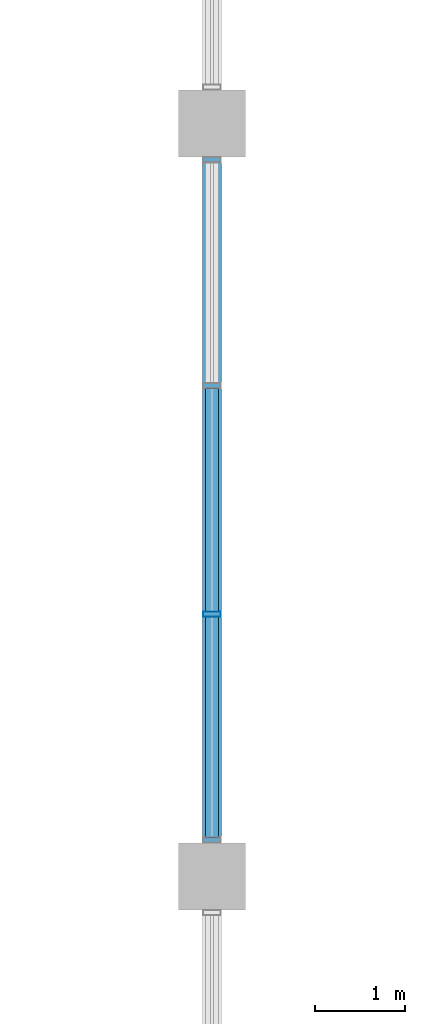
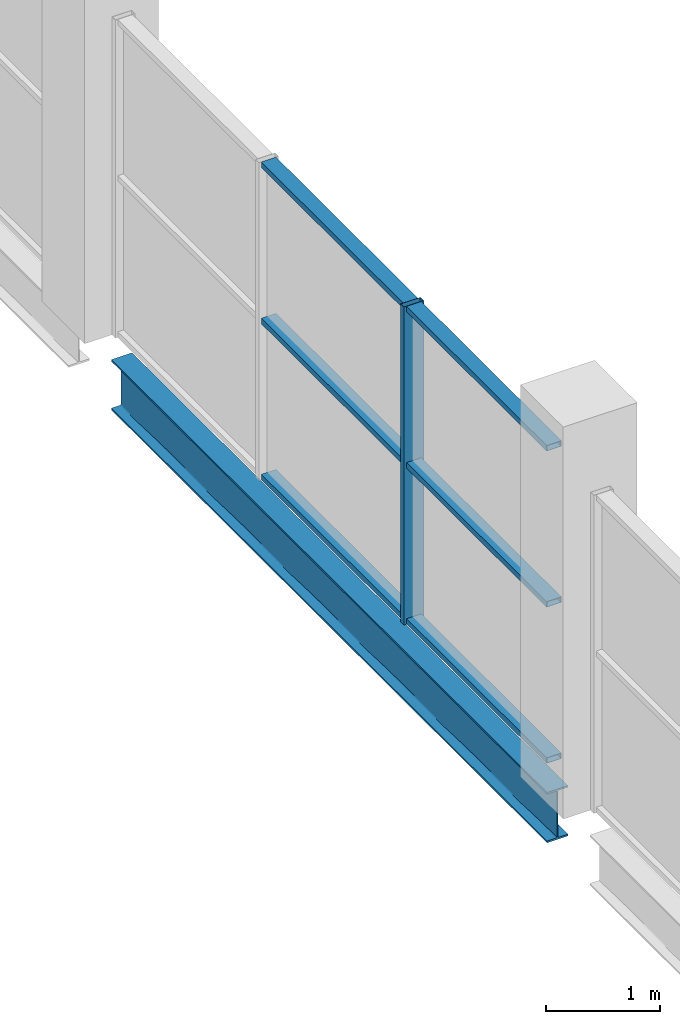
# One storey, part 31 of 93: 7 members, 1 beam, 1 element without a shape of its own.
"""IFC4 building model written with IfcOpenShell, lengths in metres."""

import ifcopenshell
import ifcopenshell.guid

model = None  # the IFC model being written
_history = None  # IfcOwnerHistory: only IFC2X3 demands one
_inside = {}  # id of a spatial element -> (the spatial element, [elements in it])
_under = {}  # id of a project, library or spatial element -> (it, [spatial elements below it])
_declared = {}  # id of a project -> (the project, [libraries it declares])
_typed = {}  # id of a type object -> (the type object, [elements of that type])
_made_of = {}  # id of a material, layer set ... -> (it, [elements and type objects made of it])


def new_model(schema):
    """Start an empty IFC model of exactly this schema.

    Asked for "IFC4X3", IfcOpenShell would pick the latest addendum, in which some entities
    have other attributes; the version numbers below select the first issue.
    IFC2X3 requires an IfcOwnerHistory on every rooted entity: one is made here for all.
    """
    global model, _history
    if schema == "IFC4X3":
        model = ifcopenshell.file(schema_version=(4, 3, 0, 0))
    else:
        model = ifcopenshell.file(schema=schema)
    _inside.clear()
    _under.clear()
    _declared.clear()
    _typed.clear()
    _made_of.clear()
    _history = None
    if model.schema == "IFC2X3":
        org = make("IfcOrganization", Name="unknown")
        user = make(
            "IfcPersonAndOrganization",
            ThePerson=make("IfcPerson", FamilyName="unknown"),
            TheOrganization=org,
        )
        app = make(
            "IfcApplication",
            ApplicationDeveloper=org,
            Version="unknown",
            ApplicationFullName="unknown",
            ApplicationIdentifier="unknown",
        )
        _history = make(
            "IfcOwnerHistory",
            OwningUser=user,
            OwningApplication=app,
            ChangeAction="ADDED",
            CreationDate=0,
        )
    return model


def make(cls, **values):
    """One entity of the class cls with the attributes given. An attribute that is None is left unset."""
    return model.create_entity(
        cls, **{name: value for name, value in values.items() if value is not None}
    )


def rooted(cls, **values):
    """An entity with a GlobalId (a new one), such as an element, a storey or a relation."""
    return make(cls, GlobalId=ifcopenshell.guid.new(), OwnerHistory=_history, **values)


def si_unit(unit_type, name, prefix=None):
    """IfcSIUnit, for example si_unit("LENGTHUNIT", "METRE", prefix="MILLI")."""
    return make("IfcSIUnit", UnitType=unit_type, Prefix=prefix, Name=name)


def assignment(units):
    """IfcUnitAssignment: the units of a project."""
    return None if units is None else make("IfcUnitAssignment", Units=units)


def point(xyz):
    """IfcCartesianPoint."""
    return None if xyz is None else make("IfcCartesianPoint", Coordinates=xyz)


def direction(xyz):
    """IfcDirection."""
    return None if xyz is None else make("IfcDirection", DirectionRatios=xyz)


def frame(location, z_axis=None, x_axis=None):
    """IfcAxis2Placement3D, a coordinate frame: its origin and axes. An axis left out is left unset."""
    return make(
        "IfcAxis2Placement3D",
        Location=point(location),
        Axis=direction(z_axis),
        RefDirection=direction(x_axis),
    )


def frame_2d(location, x_axis=None):
    """IfcAxis2Placement2D, a coordinate frame in the plane: its origin and x axis."""
    return make(
        "IfcAxis2Placement2D", Location=point(location), RefDirection=direction(x_axis)
    )


def origin():
    """The frame at (0, 0, 0) with its axes left unset."""
    return frame((0.0, 0.0, 0.0))


def origin_2d():
    """The frame at (0, 0) in the plane with its x axis left unset."""
    return frame_2d((0.0, 0.0))


def place(relative_to, where):
    """IfcLocalPlacement: puts the frame where relative to a parent placement (None: the world)."""
    return make(
        "IfcLocalPlacement", PlacementRelTo=relative_to, RelativePlacement=where
    )


def context(
    kind, dimensions, precision=None, world=None, true_north=None, identifier=None
):
    """IfcGeometricRepresentationContext, for example the 3D "Model" context."""
    return make(
        "IfcGeometricRepresentationContext",
        ContextIdentifier=identifier,
        ContextType=kind,
        CoordinateSpaceDimension=dimensions,
        Precision=precision,
        WorldCoordinateSystem=world,
        TrueNorth=true_north,
    )


def subcontext(parent, identifier, kind, view, scale=None):
    """IfcGeometricRepresentationSubContext, for example "Body" below "Model"."""
    return make(
        "IfcGeometricRepresentationSubContext",
        ContextIdentifier=identifier,
        ContextType=kind,
        ParentContext=parent,
        TargetScale=scale,
        TargetView=view,
    )


def project(units=None, contexts=None):
    """IfcProject with its units and contexts."""
    return rooted(
        "IfcProject",
        Name="project",
        RepresentationContexts=contexts,
        UnitsInContext=assignment(units),
    )


def spatial(cls, under=None, at=None, **own):
    """A site, building, storey or space (cls), placed at a placement, below another one or the project."""
    s = rooted(cls, ObjectPlacement=at, **own)
    if under is not None:
        _under.setdefault(under.id(), (under, []))[1].append(s)
    return s


def profile(cls, at=None, kind="AREA", **sizes):
    """A parametric profile (cls). Its sizes go by their IFC names, for example OverallWidth=200.0."""
    return make(cls, ProfileType=kind, Position=at, **sizes)


def hollow_rectangle(**sizes):
    """IfcRectangleHollowProfileDef."""
    return profile("IfcRectangleHollowProfileDef", **sizes)


def i_section(**sizes):
    """IfcIShapeProfileDef."""
    return profile("IfcIShapeProfileDef", **sizes)


def extrude(swept, where, along, depth):
    """IfcExtrudedAreaSolid: the profile swept, set in the frame where, extruded along a direction by depth."""
    return make(
        "IfcExtrudedAreaSolid",
        SweptArea=swept,
        Position=where,
        ExtrudedDirection=direction(along),
        Depth=depth,
    )


def shape(context_of_items, identifier, shape_type, items):
    """IfcShapeRepresentation: the items that make up one representation, for example the "Body"."""
    return make(
        "IfcShapeRepresentation",
        ContextOfItems=context_of_items,
        RepresentationIdentifier=identifier,
        RepresentationType=shape_type,
        Items=items,
    )


def material(Name=None, Category=None):
    """IfcMaterial."""
    return make("IfcMaterial", Name=Name, Category=Category)


def material_profile(
    of_material, cross_section, Name=None, Category=None, Priority=None
):
    """IfcMaterialProfile: a cross section and its material."""
    return make(
        "IfcMaterialProfile",
        Name=Name,
        Material=of_material,
        Profile=cross_section,
        Priority=Priority,
        Category=Category,
    )


def profile_set(profiles, Name=None, composite=None):
    """IfcMaterialProfileSet."""
    return make(
        "IfcMaterialProfileSet",
        Name=Name,
        MaterialProfiles=profiles,
        CompositeProfile=composite,
    )


def made_of(thing, what):
    """Note that an element or type object is made of a material, layer set ...; save() writes the relation."""
    if what is not None:
        _made_of.setdefault(what.id(), (what, []))[1].append(thing)
    return thing


def type_object(cls, material=None, **own):
    """A type object (cls), such as IfcWallType, which elements share."""
    return made_of(rooted(cls, **own), material)


def element(
    cls,
    number,
    at=None,
    inside=None,
    cuts=None,
    type_object=None,
    material=None,
    context=None,
    identifier="Body",
    shape_type=None,
    held_by="IfcProductDefinitionShape",
    body=None,
    shapes=None,
    **own,
):
    """One element of the class cls, such as IfcWall. Its Tag is "e" and its number.

    at: its placement. inside: the storey or other place that contains it. cuts: it is an
    opening in that element (IfcRelVoidsElement). A single representation is given by context,
    identifier, shape_type and body (its items); several are given by shapes. held_by: the class
    of the entity that holds the representations. save() writes the other relations.
    """
    e = rooted(cls, Tag="e%d" % number, ObjectPlacement=at, **own)
    if body is not None:
        shapes = [shape(context, identifier, shape_type, body)]
    if shapes is not None:
        e.Representation = make(held_by, Representations=shapes)
    if inside is not None:
        _inside.setdefault(inside.id(), (inside, []))[1].append(e)
    if cuts is not None:
        rooted(
            "IfcRelVoidsElement", RelatingBuildingElement=cuts, RelatedOpeningElement=e
        )
    if type_object is not None:
        _typed.setdefault(type_object.id(), (type_object, []))[1].append(e)
    return made_of(e, material)


def aggregate(whole, parts):
    """IfcRelAggregates: a whole, such as a stair, and the parts it consists of."""
    return rooted("IfcRelAggregates", RelatingObject=whole, RelatedObjects=parts)


def save(model, path):
    """Write the relations noted so far, then the file.

    IfcRelAggregates (storeys below a building ...), IfcRelContainedInSpatialStructure (elements
    in a storey), IfcRelDefinesByType, IfcRelAssociatesMaterial and IfcRelDeclares: one each for
    every whole, place, type object, material and project.
    """
    for whole, parts in _under.values():
        aggregate(whole, parts)
    for where, things in _inside.values():
        rooted(
            "IfcRelContainedInSpatialStructure",
            RelatedElements=things,
            RelatingStructure=where,
        )
    for kind, things in _typed.values():
        rooted("IfcRelDefinesByType", RelatedObjects=things, RelatingType=kind)
    for what, things in _made_of.values():
        rooted("IfcRelAssociatesMaterial", RelatedObjects=things, RelatingMaterial=what)
    for by, libraries in _declared.values():
        rooted("IfcRelDeclares", RelatingContext=by, RelatedDefinitions=libraries)
    model.write(path)


model = new_model("IFC4")

# Units and contexts
model_context = context("Model", 3, precision=1e-05, world=origin(), true_north=direction((0.0, 1.0)))
body_context = subcontext(model_context, "Body", "Model", "MODEL_VIEW")
ifc_project = project(units=[si_unit("LENGTHUNIT", "METRE"), si_unit("AREAUNIT", "SQUARE_METRE"), si_unit("VOLUMEUNIT", "CUBIC_METRE"), si_unit("PLANEANGLEUNIT", "RADIAN"), si_unit("MASSUNIT", "GRAM", prefix="KILO"), si_unit("THERMODYNAMICTEMPERATUREUNIT", "KELVIN")], contexts=[model_context])

# Site, building, storey
site_placement = place(None, origin())
site = spatial("IfcSite", under=ifc_project, at=site_placement, CompositionType="ELEMENT")
building_placement = place(site_placement, origin())
building = spatial("IfcBuilding", under=site, at=building_placement, Name="Nduvali Passage Aquatics Centre", CompositionType="ELEMENT")
storey_placement = place(building_placement, frame((0.0, 0.0, 9.0)))
storey = spatial("IfcBuildingStorey", under=building, at=storey_placement, Name="L02", CompositionType="ELEMENT", Elevation=9.0)

# Curtain wall, members
ifc_material_1 = material(Name="Aluminium EN AW-6063 T6", Category="aluminium")
curtain_wall_type = type_object("IfcCurtainWallType", Name="ENV-CW-CLER", PredefinedType="NOTDEFINED", material=ifc_material_1)
curtain_wall_placement = place(storey_placement, origin())
curtain_wall = element("IfcCurtainWall", 1, at=curtain_wall_placement, inside=storey, type_object=curtain_wall_type, Name="L02 East Passage Pool Hall Mid Clerestory 031", PredefinedType="NOTDEFINED")
ifc_material_profile_1 = material_profile(ifc_material_1, hollow_rectangle(XDim=0.06005859375, YDim=0.199951171875, WallThickness=0.00390625, at=origin_2d()), Name="ALU MULLION 60x200x4")
ifc_profile_set_1 = profile_set([ifc_material_profile_1], Name="Aluminium EN AW-6063 T6")
member_type_1 = type_object("IfcMemberType", Name="ENV-MEM-MUL80", PredefinedType="MULLION", material=ifc_profile_set_1)
member_1_placement = place(storey_placement, frame((126.0, 61.72509765625, 0.0), z_axis=(0.0, 0.0, 1.0), x_axis=(0.0, 1.0, 0.0)))
member_1 = element("IfcMember", 2, at=member_1_placement, type_object=member_type_1, Name="East Passage Pool Hall Mid Clerestory Mullion 2", PredefinedType="MULLION", context=body_context, shape_type="SweptSolid", body=[
    extrude(hollow_rectangle(XDim=0.06005859375, YDim=0.199951171875, WallThickness=0.00390625, at=origin_2d()), origin(), (0.0, 0.0, 1.0), 3.406494140625),
])
ifc_material_profile_2 = material_profile(ifc_material_1, hollow_rectangle(XDim=0.14990234375, YDim=0.06005859375, WallThickness=0.00390625, at=origin_2d()), Name="ALU TRANSOM 150x60x4")
ifc_profile_set_2 = profile_set([ifc_material_profile_2], Name="Aluminium EN AW-6063 T6")
member_type_2 = type_object("IfcMemberType", Name="ENV-MEM-TRN80", PredefinedType="USERDEFINED", material=ifc_profile_set_2)
member_2_placement = place(storey_placement, frame((126.0, 59.235107421875, 0.030029296875), z_axis=(0.0, 1.0, 0.0), x_axis=(-1.0, 0.0, 0.0)))
member_2 = element("IfcMember", 3, at=member_2_placement, type_object=member_type_2, Name="East Passage Pool Hall Mid Clerestory Transom B1-R0", ObjectType="TRANSOM", PredefinedType="USERDEFINED", context=body_context, shape_type="SweptSolid", body=[
    extrude(hollow_rectangle(XDim=0.14990234375, YDim=0.06005859375, WallThickness=0.00390625, at=origin_2d()), origin(), (0.0, 0.0, 1.0), 2.4599609375),
])
member_3_placement = place(storey_placement, frame((126.0, 59.235107421875, 1.703125), z_axis=(0.0, 1.0, 0.0), x_axis=(-1.0, 0.0, 0.0)))
member_3 = element("IfcMember", 4, at=member_3_placement, type_object=member_type_2, Name="East Passage Pool Hall Mid Clerestory Transom B1-R1", ObjectType="TRANSOM", PredefinedType="USERDEFINED", context=body_context, shape_type="SweptSolid", body=[
    extrude(hollow_rectangle(XDim=0.14990234375, YDim=0.06005859375, WallThickness=0.00390625, at=origin_2d()), origin(), (0.0, 0.0, 1.0), 2.4599609375),
])
member_4_placement = place(storey_placement, frame((126.0, 59.235107421875, 3.37646484375), z_axis=(0.0, 1.0, 0.0), x_axis=(-1.0, 0.0, 0.0)))
member_4 = element("IfcMember", 5, at=member_4_placement, type_object=member_type_2, Name="East Passage Pool Hall Mid Clerestory Transom B1-R2", ObjectType="TRANSOM", PredefinedType="USERDEFINED", context=body_context, shape_type="SweptSolid", body=[
    extrude(hollow_rectangle(XDim=0.14990234375, YDim=0.06005859375, WallThickness=0.00390625, at=origin_2d()), origin(), (0.0, 0.0, 1.0), 2.4599609375),
])
member_5_placement = place(storey_placement, frame((126.0, 61.7548828125, 0.030029296875), z_axis=(0.0, 1.0, 0.0), x_axis=(-1.0, 0.0, 0.0)))
member_5 = element("IfcMember", 6, at=member_5_placement, type_object=member_type_2, Name="East Passage Pool Hall Mid Clerestory Transom B2-R0", ObjectType="TRANSOM", PredefinedType="USERDEFINED", context=body_context, shape_type="SweptSolid", body=[
    extrude(hollow_rectangle(XDim=0.14990234375, YDim=0.06005859375, WallThickness=0.00390625, at=origin_2d()), origin(), (0.0, 0.0, 1.0), 2.490234375),
])
member_6_placement = place(storey_placement, frame((126.0, 61.7548828125, 1.703125), z_axis=(0.0, 1.0, 0.0), x_axis=(-1.0, 0.0, 0.0)))
member_6 = element("IfcMember", 7, at=member_6_placement, type_object=member_type_2, Name="East Passage Pool Hall Mid Clerestory Transom B2-R1", ObjectType="TRANSOM", PredefinedType="USERDEFINED", context=body_context, shape_type="SweptSolid", body=[
    extrude(hollow_rectangle(XDim=0.14990234375, YDim=0.06005859375, WallThickness=0.00390625, at=origin_2d()), origin(), (0.0, 0.0, 1.0), 2.490234375),
])
member_7_placement = place(storey_placement, frame((126.0, 61.7548828125, 3.37646484375), z_axis=(0.0, 1.0, 0.0), x_axis=(-1.0, 0.0, 0.0)))
member_7 = element("IfcMember", 8, at=member_7_placement, type_object=member_type_2, Name="East Passage Pool Hall Mid Clerestory Transom B2-R2", ObjectType="TRANSOM", PredefinedType="USERDEFINED", context=body_context, shape_type="SweptSolid", body=[
    extrude(hollow_rectangle(XDim=0.14990234375, YDim=0.06005859375, WallThickness=0.00390625, at=origin_2d()), origin(), (0.0, 0.0, 1.0), 2.490234375),
])
aggregate(curtain_wall, [member_1, member_2, member_3, member_4, member_5, member_6, member_7])

# Beam
ifc_material_2 = material(Name="Steel S355", Category="steel")
ifc_material_profile_3 = material_profile(ifc_material_2, i_section(OverallWidth=0.210693359375, OverallDepth=0.53955078125, WebThickness=0.01171875, FlangeThickness=0.018798828125, FilletRadius=0.0126953125, at=origin_2d()), Name="UKB 533x210x109")
ifc_profile_set_3 = profile_set([ifc_material_profile_3], Name="Steel S355")
beam_type = type_object("IfcBeamType", Name="STR-BM-UKB533-EXT", PredefinedType="BEAM", material=ifc_profile_set_3)
beam_placement = place(storey_placement, frame((126.0, 59.175048828125, -0.53369140625), z_axis=(0.0, 1.0, 0.0), x_axis=(-1.0, 0.0, 0.0)))
element("IfcBeam", 9, at=beam_placement, inside=storey, type_object=beam_type, Name="L02 Primary Y-Girder B6E-1014", PredefinedType="BEAM", context=body_context, shape_type="SweptSolid", body=[
    extrude(i_section(OverallWidth=0.210693359375, OverallDepth=0.53955078125, WebThickness=0.01171875, FlangeThickness=0.018798828125, FilletRadius=0.0126953125, at=origin_2d()), origin(), (0.0, 0.0, 1.0), 7.64990234375),
])

save(model, "model.ifc")
